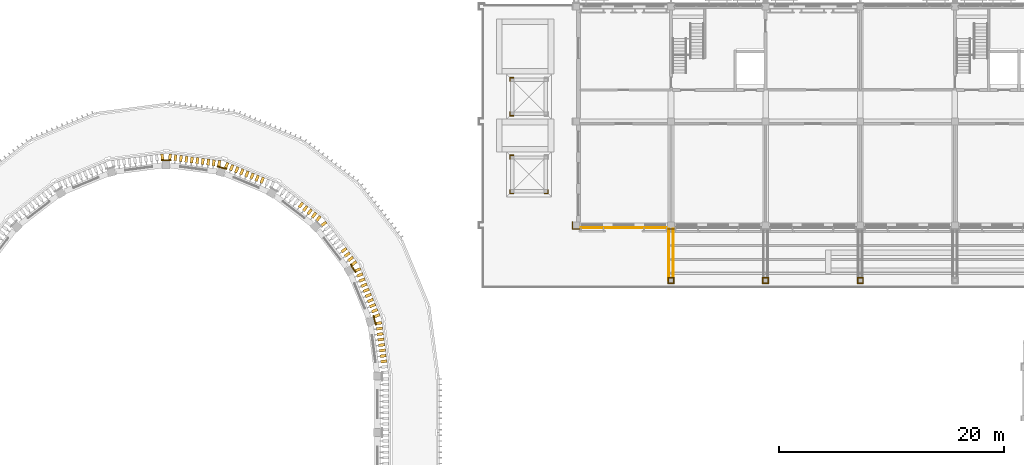
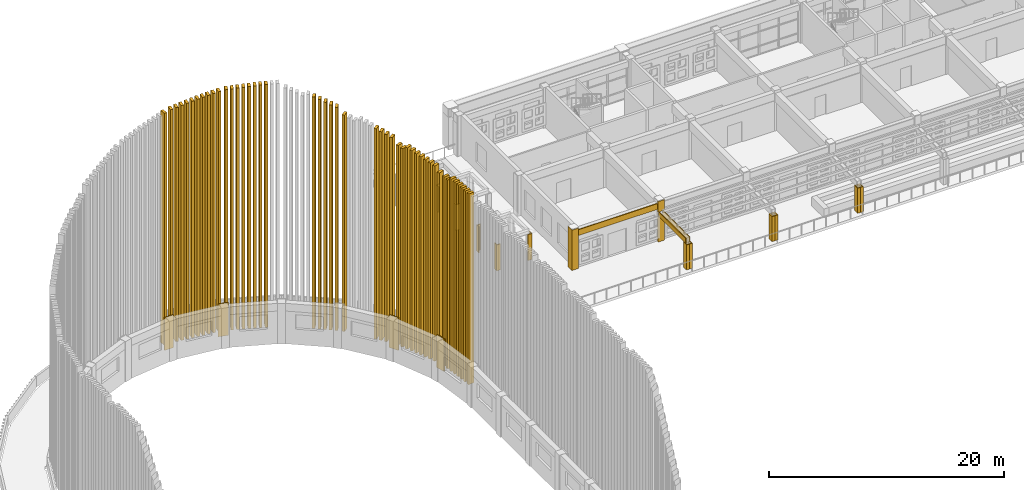
# One storey, part 59 of 68: 68 coverings.
"""IFC4 building model written with IfcOpenShell, lengths in metres."""

from ifc_helpers import new_model, si_unit, direction, frame, origin, origin_2d, place, context, subcontext, project, spatial, polyline, rectangle, outline, extrude, material, layer, layer_set, type_object, element, save


model = new_model("IFC4")

# Units and contexts
model_context = context("Model", 3, precision=1e-05, world=origin(), true_north=direction((0.0, 1.0)))
body_context = subcontext(model_context, "Body", "Model", "MODEL_VIEW")
ifc_project = project(units=[si_unit("LENGTHUNIT", "METRE"), si_unit("AREAUNIT", "SQUARE_METRE"), si_unit("VOLUMEUNIT", "CUBIC_METRE"), si_unit("PLANEANGLEUNIT", "RADIAN"), si_unit("MASSUNIT", "GRAM", prefix="KILO")], contexts=[model_context])

# Site, building, storey
site_placement = place(None, origin())
site = spatial("IfcSite", under=ifc_project, at=site_placement, CompositionType="ELEMENT")
building_placement = place(site_placement, origin())
building = spatial("IfcBuilding", under=site, at=building_placement, Name="Wasatch Bagh Community Centre", CompositionType="ELEMENT")
storey_placement = place(building_placement, frame((0.0, 0.0, 8.39990234375)))
storey = spatial("IfcBuildingStorey", under=building, at=storey_placement, Name="L02", CompositionType="ELEMENT", Elevation=8.39990234375)

# Coverings
ifc_material_1 = material(Name="Cast stone cladding", Category="masonry")
ifc_layer_1 = layer(ifc_material_1, 0.080078125)
ifc_layer_set_1 = layer_set([ifc_layer_1], Name="Cast stone cladding")
covering_type_1 = type_object("IfcCoveringType", Name="CL-B7 beam facing", PredefinedType="CLADDING", material=ifc_layer_set_1)
covering_1_placement = place(storey_placement, frame((0.0, 0.0, 3.320068359375)))
element("IfcCovering", 1, at=covering_1_placement, inside=storey, type_object=covering_type_1, Name="Beam facing", PredefinedType="CLADDING", context=body_context, shape_type="SweptSolid", body=[
    extrude(outline(polyline([(72.699951171875, 78.22509765625), (80.5, 78.22509765625), (80.5, 78.14501953125), (72.699951171875, 78.14501953125), (72.699951171875, 78.22509765625)])), origin(), (0.0, 0.0, 1.0), 0.60009765625),
])
covering_2_placement = place(storey_placement, frame((0.0, 0.0, 2.60009765625)))
element("IfcCovering", 2, at=covering_2_placement, inside=storey, type_object=covering_type_1, Name="Beam facing", PredefinedType="CLADDING", context=body_context, shape_type="SweptSolid", body=[
    extrude(outline(polyline([(80.949951171875, 78.10009765625), (80.949951171875, 73.5), (81.030029296875, 73.5), (81.030029296875, 78.10009765625), (80.949951171875, 78.10009765625)])), origin(), (0.0, 0.0, 1.0), 0.5),
])
covering_3_placement = place(storey_placement, frame((0.0, 0.0, 2.60009765625)))
element("IfcCovering", 3, at=covering_3_placement, inside=storey, type_object=covering_type_1, Name="Beam facing", PredefinedType="CLADDING", context=body_context, shape_type="SweptSolid", body=[
    extrude(outline(polyline([(80.64990234375, 78.10009765625), (80.64990234375, 73.5), (80.570068359375, 73.5), (80.570068359375, 78.10009765625), (80.64990234375, 78.10009765625)])), origin(), (0.0, 0.0, 1.0), 0.5),
])
ifc_layer_2 = layer(ifc_material_1, 0.080078125)
ifc_layer_set_2 = layer_set([ifc_layer_2], Name="Cast stone cladding")
covering_type_2 = type_object("IfcCoveringType", Name="CL-C1 column facing", PredefinedType="CLADDING", material=ifc_layer_set_2)
covering_4_placement = place(storey_placement, origin())
element("IfcCovering", 4, at=covering_4_placement, inside=storey, type_object=covering_type_2, Name="Column facing", PredefinedType="CLADDING", context=body_context, shape_type="SweptSolid", body=[
    extrude(outline(polyline([(72.02001953125, 78.02001953125), (72.02001953125, 78.699951171875), (72.10009765625, 78.699951171875), (72.10009765625, 78.10009765625), (72.699951171875, 78.10009765625), (72.699951171875, 78.02001953125), (72.02001953125, 78.02001953125)])), origin(), (0.0, 0.0, 1.0), 4.2001953125),
])
covering_5_placement = place(storey_placement, origin())
element("IfcCovering", 5, at=covering_5_placement, inside=storey, type_object=covering_type_2, Name="Column facing", PredefinedType="CLADDING", context=body_context, shape_type="SweptSolid", body=[
    extrude(outline(polyline([(80.5, 78.10009765625), (81.10009765625, 78.10009765625), (81.10009765625, 78.02001953125), (80.5, 78.02001953125), (80.5, 78.10009765625)])), origin(), (0.0, 0.0, 1.0), 2.60009765625),
])
covering_6_placement = place(storey_placement, frame((0.0, 0.0, 3.10009765625)))
element("IfcCovering", 6, at=covering_6_placement, inside=storey, type_object=covering_type_2, Name="Column facing", PredefinedType="CLADDING", context=body_context, shape_type="SweptSolid", body=[
    extrude(outline(polyline([(80.5, 78.10009765625), (81.10009765625, 78.10009765625), (81.10009765625, 78.02001953125), (80.5, 78.02001953125), (80.5, 78.10009765625)])), origin(), (0.0, 0.0, 1.0), 1.10009765625),
])
covering_7_placement = place(storey_placement, origin())
element("IfcCovering", 7, at=covering_7_placement, inside=storey, type_object=covering_type_2, Name="Column facing", PredefinedType="CLADDING", context=body_context, shape_type="SweptSolid", body=[
    extrude(outline(polyline([(69.85009765625, 81.25), (69.85009765625, 81.550048828125), (69.929931640625, 81.550048828125), (69.929931640625, 81.25), (69.929931640625, 81.169921875), (69.550048828125, 81.169921875), (69.550048828125, 81.25), (69.85009765625, 81.25)])), origin(), (0.0, 0.0, 1.0), 2.7001953125),
])
covering_8_placement = place(storey_placement, origin())
element("IfcCovering", 8, at=covering_8_placement, inside=storey, type_object=covering_type_2, Name="Column facing", PredefinedType="CLADDING", context=body_context, shape_type="SweptSolid", body=[
    extrude(outline(polyline([(66.550048828125, 84.25), (66.469970703125, 84.25), (66.469970703125, 84.6298828125), (66.85009765625, 84.6298828125), (66.85009765625, 84.550048828125), (66.550048828125, 84.550048828125), (66.550048828125, 84.25)])), origin(), (0.0, 0.0, 1.0), 2.7001953125),
])
covering_9_placement = place(storey_placement, origin())
element("IfcCovering", 9, at=covering_9_placement, inside=storey, type_object=covering_type_2, Name="Column facing", PredefinedType="CLADDING", context=body_context, shape_type="SweptSolid", body=[
    extrude(outline(polyline([(66.469970703125, 81.169921875), (66.469970703125, 81.550048828125), (66.550048828125, 81.550048828125), (66.550048828125, 81.25), (66.85009765625, 81.25), (66.85009765625, 81.169921875), (66.469970703125, 81.169921875)])), origin(), (0.0, 0.0, 1.0), 2.7001953125),
])
covering_10_placement = place(storey_placement, origin())
element("IfcCovering", 10, at=covering_10_placement, inside=storey, type_object=covering_type_2, Name="Column facing", PredefinedType="CLADDING", context=body_context, shape_type="SweptSolid", body=[
    extrude(outline(polyline([(66.550048828125, 91.14990234375), (66.469970703125, 91.14990234375), (66.469970703125, 91.530029296875), (66.85009765625, 91.530029296875), (66.85009765625, 91.449951171875), (66.550048828125, 91.449951171875), (66.550048828125, 91.14990234375)])), origin(), (0.0, 0.0, 1.0), 2.7001953125),
])
covering_11_placement = place(storey_placement, origin())
element("IfcCovering", 11, at=covering_11_placement, inside=storey, type_object=covering_type_2, Name="Column facing", PredefinedType="CLADDING", context=body_context, shape_type="SweptSolid", body=[
    extrude(outline(polyline([(66.469970703125, 88.070068359375), (66.469970703125, 88.449951171875), (66.550048828125, 88.449951171875), (66.550048828125, 88.14990234375), (66.85009765625, 88.14990234375), (66.85009765625, 88.070068359375), (66.469970703125, 88.070068359375)])), origin(), (0.0, 0.0, 1.0), 2.7001953125),
])
covering_12_placement = place(storey_placement, origin())
element("IfcCovering", 12, at=covering_12_placement, inside=storey, type_object=covering_type_2, Name="Column facing", PredefinedType="CLADDING", context=body_context, shape_type="SweptSolid", body=[
    extrude(outline(polyline([(80.800048828125, 73.780029296875), (80.800048828125, 73.699951171875), (80.60009765625, 73.699951171875), (80.60009765625, 73.300048828125), (80.800048828125, 73.300048828125), (80.800048828125, 73.219970703125), (80.60009765625, 73.219970703125), (80.52001953125, 73.219970703125), (80.52001953125, 73.780029296875), (80.800048828125, 73.780029296875)])), origin(), (0.0, 0.0, 1.0), 2.60009765625),
])
covering_13_placement = place(storey_placement, origin())
element("IfcCovering", 13, at=covering_13_placement, inside=storey, type_object=covering_type_2, Name="Column facing", PredefinedType="CLADDING", context=body_context, shape_type="SweptSolid", body=[
    extrude(outline(polyline([(81.080078125, 73.780029296875), (81.080078125, 73.219970703125), (81.0, 73.219970703125), (80.800048828125, 73.219970703125), (80.800048828125, 73.300048828125), (81.0, 73.300048828125), (81.0, 73.699951171875), (80.800048828125, 73.699951171875), (80.800048828125, 73.780029296875), (81.080078125, 73.780029296875)])), origin(), (0.0, 0.0, 1.0), 2.60009765625),
])
covering_14_placement = place(storey_placement, origin())
element("IfcCovering", 14, at=covering_14_placement, inside=storey, type_object=covering_type_2, Name="Column facing", PredefinedType="CLADDING", context=body_context, shape_type="SweptSolid", body=[
    extrude(outline(polyline([(89.199951171875, 73.780029296875), (89.199951171875, 73.699951171875), (89.0, 73.699951171875), (89.0, 73.300048828125), (89.199951171875, 73.300048828125), (89.199951171875, 73.219970703125), (89.0, 73.219970703125), (88.919921875, 73.219970703125), (88.919921875, 73.780029296875), (89.199951171875, 73.780029296875)])), origin(), (0.0, 0.0, 1.0), 2.60009765625),
])
covering_15_placement = place(storey_placement, origin())
element("IfcCovering", 15, at=covering_15_placement, inside=storey, type_object=covering_type_2, Name="Column facing", PredefinedType="CLADDING", context=body_context, shape_type="SweptSolid", body=[
    extrude(outline(polyline([(89.47998046875, 73.780029296875), (89.47998046875, 73.699951171875), (89.47998046875, 73.300048828125), (89.47998046875, 73.219970703125), (89.39990234375, 73.219970703125), (89.199951171875, 73.219970703125), (89.199951171875, 73.300048828125), (89.39990234375, 73.300048828125), (89.39990234375, 73.699951171875), (89.199951171875, 73.699951171875), (89.199951171875, 73.780029296875), (89.47998046875, 73.780029296875)])), origin(), (0.0, 0.0, 1.0), 2.60009765625),
])
covering_16_placement = place(storey_placement, origin())
element("IfcCovering", 16, at=covering_16_placement, inside=storey, type_object=covering_type_2, Name="Column facing", PredefinedType="CLADDING", context=body_context, shape_type="SweptSolid", body=[
    extrude(outline(polyline([(97.60009765625, 73.780029296875), (97.60009765625, 73.699951171875), (97.39990234375, 73.699951171875), (97.39990234375, 73.300048828125), (97.60009765625, 73.300048828125), (97.60009765625, 73.219970703125), (97.39990234375, 73.219970703125), (97.320068359375, 73.219970703125), (97.320068359375, 73.780029296875), (97.60009765625, 73.780029296875)])), origin(), (0.0, 0.0, 1.0), 2.60009765625),
])
covering_17_placement = place(storey_placement, origin())
element("IfcCovering", 17, at=covering_17_placement, inside=storey, type_object=covering_type_2, Name="Column facing", PredefinedType="CLADDING", context=body_context, shape_type="SweptSolid", body=[
    extrude(outline(polyline([(97.8798828125, 73.780029296875), (97.8798828125, 73.699951171875), (97.8798828125, 73.300048828125), (97.8798828125, 73.219970703125), (97.800048828125, 73.219970703125), (97.60009765625, 73.219970703125), (97.60009765625, 73.300048828125), (97.800048828125, 73.300048828125), (97.800048828125, 73.699951171875), (97.60009765625, 73.699951171875), (97.60009765625, 73.780029296875), (97.8798828125, 73.780029296875)])), origin(), (0.0, 0.0, 1.0), 2.60009765625),
])
ifc_material_2 = material(Name="White precast concrete C40/50", Category="concrete")
ifc_layer_3 = layer(ifc_material_2, 0.10009765625)
ifc_layer_set_3 = layer_set([ifc_layer_3], Name="White precast concrete C40/50")
covering_type_3 = type_object("IfcCoveringType", Name="MH column casing", PredefinedType="CLADDING", material=ifc_layer_set_3)
for number, where, z_axis, x_axis, name in (
    (18, (54.49755859375, 69.956298828125, 0.800048828125), (0.0, 0.0, 1.0), (-0.258819045103, 0.965925826289, 0.0), "Column casing N1 L02"),
    (19, (52.58447265625, 74.574951171875, 0.800048828125), (0.0, 0.0, 1.0), (-0.5, 0.866025403784, 0.0), "Column casing N2 L02"),
    (20, (40.956298828125, 83.49755859375, 0.800048828125), (0.0, 0.0, 1.0), (-0.965925826289, 0.258819045103, 0.0), "Column casing N5 L02"),
    (21, (36.0, 84.14990234375, 0.800048828125), (0.0, 0.0, 1.0), (-1.0, 0.0, 0.0), "Column casing N6 L02"),
):
    element("IfcCovering", number, at=place(storey_placement, frame(where, z_axis=z_axis, x_axis=x_axis)), inside=storey, type_object=covering_type_3, Name=name, PredefinedType="CLADDING", context=body_context, shape_type="SweptSolid", body=[
        extrude(rectangle(XDim=0.89990234375, YDim=0.10009765625, at=origin_2d()), origin(), (0.0, 0.0, 1.0), 3.39990234375),
    ])
ifc_layer_4 = layer(ifc_material_2, 0.25)
ifc_layer_set_4 = layer_set([ifc_layer_4], Name="White precast concrete C40/50")
covering_type_4 = type_object("IfcCoveringType", Name="MH vertical fin", PredefinedType="CLADDING", material=ifc_layer_set_4)
covering_18_placement = place(storey_placement, frame((55.30908203125, 66.307861328125, 1.30029296875), z_axis=(0.0, 0.0, 1.0), x_axis=(-0.13052619222, 0.991444861374, 0.0)))
element("IfcCovering", 22, at=covering_18_placement, inside=storey, type_object=covering_type_4, Name="Fin 19.3", PredefinedType="CLADDING", context=body_context, shape_type="SweptSolid", body=[
    extrude(rectangle(XDim=0.25, YDim=0.550048828125, at=origin_2d()), origin(), (0.0, 0.0, 1.0), 19.788818359375),
])
covering_19_placement = place(storey_placement, frame((55.2451171875, 66.793212890625, 1.300048828125), z_axis=(0.0, 0.0, 1.0), x_axis=(-0.13052619222, 0.991444861374, 0.0)))
element("IfcCovering", 23, at=covering_19_placement, inside=storey, type_object=covering_type_4, Name="Fin 19.4", PredefinedType="CLADDING", context=body_context, shape_type="SweptSolid", body=[
    extrude(rectangle(XDim=0.25, YDim=0.550048828125, at=origin_2d()), origin(), (0.0, 0.0, 1.0), 19.82568359375),
])
covering_20_placement = place(storey_placement, frame((55.181396484375, 67.2783203125, 1.30029296875), z_axis=(0.0, 0.0, 1.0), x_axis=(-0.13052619222, 0.991444861374, 0.0)))
element("IfcCovering", 24, at=covering_20_placement, inside=storey, type_object=covering_type_4, Name="Fin 19.5", PredefinedType="CLADDING", context=body_context, shape_type="SweptSolid", body=[
    extrude(rectangle(XDim=0.25, YDim=0.550048828125, at=origin_2d()), origin(), (0.0, 0.0, 1.0), 19.862548828125),
])
covering_21_placement = place(storey_placement, frame((55.117431640625, 67.763671875, 1.300048828125), z_axis=(0.0, 0.0, 1.0), x_axis=(-0.13052619222, 0.991444861374, 0.0)))
element("IfcCovering", 25, at=covering_21_placement, inside=storey, type_object=covering_type_4, Name="Fin 19.6", PredefinedType="CLADDING", context=body_context, shape_type="SweptSolid", body=[
    extrude(rectangle(XDim=0.25, YDim=0.550048828125, at=origin_2d()), origin(), (0.0, 0.0, 1.0), 19.8994140625),
])
covering_22_placement = place(storey_placement, frame((55.053466796875, 68.2490234375, 1.30029296875), z_axis=(0.0, 0.0, 1.0), x_axis=(-0.13052619222, 0.991444861374, 0.0)))
element("IfcCovering", 26, at=covering_22_placement, inside=storey, type_object=covering_type_4, Name="Fin 19.7", PredefinedType="CLADDING", context=body_context, shape_type="SweptSolid", body=[
    extrude(rectangle(XDim=0.25, YDim=0.550048828125, at=origin_2d()), origin(), (0.0, 0.0, 1.0), 19.936279296875),
])
covering_23_placement = place(storey_placement, frame((54.98974609375, 68.734375, 1.300048828125), z_axis=(0.0, 0.0, 1.0), x_axis=(-0.13052619222, 0.991444861374, 0.0)))
element("IfcCovering", 27, at=covering_23_placement, inside=storey, type_object=covering_type_4, Name="Fin 19.8", PredefinedType="CLADDING", context=body_context, shape_type="SweptSolid", body=[
    extrude(rectangle(XDim=0.25, YDim=0.550048828125, at=origin_2d()), origin(), (0.0, 0.0, 1.0), 19.97314453125),
])
covering_24_placement = place(storey_placement, frame((54.92578125, 69.219482421875, 1.300048828125), z_axis=(0.0, 0.0, 1.0), x_axis=(-0.13052619222, 0.991444861374, 0.0)))
element("IfcCovering", 28, at=covering_24_placement, inside=storey, type_object=covering_type_4, Name="Fin 19.9", PredefinedType="CLADDING", context=body_context, shape_type="SweptSolid", body=[
    extrude(rectangle(XDim=0.25, YDim=0.550048828125, at=origin_2d()), origin(), (0.0, 0.0, 1.0), 19.6044921875),
])
covering_25_placement = place(storey_placement, frame((54.86181640625, 69.704833984375, 1.30029296875), z_axis=(0.0, 0.0, 1.0), x_axis=(-0.13052619222, 0.991444861374, 0.0)))
element("IfcCovering", 29, at=covering_25_placement, inside=storey, type_object=covering_type_4, Name="Fin 19.10", PredefinedType="CLADDING", context=body_context, shape_type="SweptSolid", body=[
    extrude(rectangle(XDim=0.25, YDim=0.550048828125, at=origin_2d()), origin(), (0.0, 0.0, 1.0), 19.641357421875),
])
covering_26_placement = place(storey_placement, frame((54.687255859375, 70.3564453125, 1.300048828125), z_axis=(0.0, 0.0, 1.0), x_axis=(-0.382683432365, 0.923879532511, 0.0)))
element("IfcCovering", 30, at=covering_26_placement, inside=storey, type_object=covering_type_4, Name="Fin 20.1", PredefinedType="CLADDING", context=body_context, shape_type="SweptSolid", body=[
    extrude(rectangle(XDim=0.25, YDim=0.550048828125, at=origin_2d()), origin(), (0.0, 0.0, 1.0), 19.7421875),
])
covering_27_placement = place(storey_placement, frame((54.5, 70.80859375, 1.300048828125), z_axis=(0.0, 0.0, 1.0), x_axis=(-0.382683432365, 0.923879532511, 0.0)))
element("IfcCovering", 31, at=covering_27_placement, inside=storey, type_object=covering_type_4, Name="Fin 20.2", PredefinedType="CLADDING", context=body_context, shape_type="SweptSolid", body=[
    extrude(rectangle(XDim=0.25, YDim=0.550048828125, at=origin_2d()), origin(), (0.0, 0.0, 1.0), 20.255859375),
])
covering_28_placement = place(storey_placement, frame((54.312744140625, 71.2607421875, 1.30029296875), z_axis=(0.0, 0.0, 1.0), x_axis=(-0.382683432365, 0.923879532511, 0.0)))
element("IfcCovering", 32, at=covering_28_placement, inside=storey, type_object=covering_type_4, Name="Fin 20.3", PredefinedType="CLADDING", context=body_context, shape_type="SweptSolid", body=[
    extrude(rectangle(XDim=0.25, YDim=0.550048828125, at=origin_2d()), origin(), (0.0, 0.0, 1.0), 20.364013671875),
])
covering_29_placement = place(storey_placement, frame((54.125244140625, 71.713134765625, 1.300048828125), z_axis=(0.0, 0.0, 1.0), x_axis=(-0.382683432365, 0.923879532511, 0.0)))
element("IfcCovering", 33, at=covering_29_placement, inside=storey, type_object=covering_type_4, Name="Fin 20.4", PredefinedType="CLADDING", context=body_context, shape_type="SweptSolid", body=[
    extrude(rectangle(XDim=0.25, YDim=0.550048828125, at=origin_2d()), origin(), (0.0, 0.0, 1.0), 20.47216796875),
])
covering_30_placement = place(storey_placement, frame((53.93798828125, 72.165283203125, 1.30029296875), z_axis=(0.0, 0.0, 1.0), x_axis=(-0.382683432365, 0.923879532511, 0.0)))
element("IfcCovering", 34, at=covering_30_placement, inside=storey, type_object=covering_type_4, Name="Fin 20.5", PredefinedType="CLADDING", context=body_context, shape_type="SweptSolid", body=[
    extrude(rectangle(XDim=0.25, YDim=0.550048828125, at=origin_2d()), origin(), (0.0, 0.0, 1.0), 20.580322265625),
])
covering_31_placement = place(storey_placement, frame((53.750732421875, 72.617431640625, 1.300048828125), z_axis=(0.0, 0.0, 1.0), x_axis=(-0.382683432365, 0.923879532511, 0.0)))
element("IfcCovering", 35, at=covering_31_placement, inside=storey, type_object=covering_type_4, Name="Fin 20.6", PredefinedType="CLADDING", context=body_context, shape_type="SweptSolid", body=[
    extrude(rectangle(XDim=0.25, YDim=0.550048828125, at=origin_2d()), origin(), (0.0, 0.0, 1.0), 20.6884765625),
])
covering_32_placement = place(storey_placement, frame((53.5634765625, 73.069580078125, 1.30029296875), z_axis=(0.0, 0.0, 1.0), x_axis=(-0.382683432365, 0.923879532511, 0.0)))
element("IfcCovering", 36, at=covering_32_placement, inside=storey, type_object=covering_type_4, Name="Fin 20.7", PredefinedType="CLADDING", context=body_context, shape_type="SweptSolid", body=[
    extrude(rectangle(XDim=0.25, YDim=0.550048828125, at=origin_2d()), origin(), (0.0, 0.0, 1.0), 20.796630859375),
])
covering_33_placement = place(storey_placement, frame((53.3759765625, 73.52197265625, 1.300048828125), z_axis=(0.0, 0.0, 1.0), x_axis=(-0.382683432365, 0.923879532511, 0.0)))
element("IfcCovering", 37, at=covering_33_placement, inside=storey, type_object=covering_type_4, Name="Fin 20.8", PredefinedType="CLADDING", context=body_context, shape_type="SweptSolid", body=[
    extrude(rectangle(XDim=0.25, YDim=0.550048828125, at=origin_2d()), origin(), (0.0, 0.0, 1.0), 20.90478515625),
])
covering_34_placement = place(storey_placement, frame((53.188720703125, 73.97412109375, 1.300048828125), z_axis=(0.0, 0.0, 1.0), x_axis=(-0.382683432365, 0.923879532511, 0.0)))
element("IfcCovering", 38, at=covering_34_placement, inside=storey, type_object=covering_type_4, Name="Fin 20.9", PredefinedType="CLADDING", context=body_context, shape_type="SweptSolid", body=[
    extrude(rectangle(XDim=0.25, YDim=0.550048828125, at=origin_2d()), origin(), (0.0, 0.0, 1.0), 20.607421875),
])
covering_35_placement = place(storey_placement, frame((53.00146484375, 74.42626953125, 1.30029296875), z_axis=(0.0, 0.0, 1.0), x_axis=(-0.382683432365, 0.923879532511, 0.0)))
element("IfcCovering", 39, at=covering_35_placement, inside=storey, type_object=covering_type_4, Name="Fin 20.10", PredefinedType="CLADDING", context=body_context, shape_type="SweptSolid", body=[
    extrude(rectangle(XDim=0.25, YDim=0.550048828125, at=origin_2d()), origin(), (0.0, 0.0, 1.0), 20.715576171875),
])
covering_36_placement = place(storey_placement, frame((52.6640625, 75.010498046875, 1.300048828125), z_axis=(0.0, 0.0, 1.0), x_axis=(-0.608761429009, 0.793353340291, 0.0)))
element("IfcCovering", 40, at=covering_36_placement, inside=storey, type_object=covering_type_4, Name="Fin 21.1", PredefinedType="CLADDING", context=body_context, shape_type="SweptSolid", body=[
    extrude(rectangle(XDim=0.25, YDim=0.550048828125, at=origin_2d()), origin(), (0.0, 0.0, 1.0), 21.31591796875),
])
covering_37_placement = place(storey_placement, frame((52.3662109375, 75.39892578125, 1.300048828125), z_axis=(0.0, 0.0, 1.0), x_axis=(-0.608761429009, 0.793353340291, 0.0)))
element("IfcCovering", 41, at=covering_37_placement, inside=storey, type_object=covering_type_4, Name="Fin 21.2", PredefinedType="CLADDING", context=body_context, shape_type="SweptSolid", body=[
    extrude(rectangle(XDim=0.25, YDim=0.550048828125, at=origin_2d()), origin(), (0.0, 0.0, 1.0), 21.48779296875),
])
covering_38_placement = place(storey_placement, frame((52.068115234375, 75.787109375, 1.30029296875), z_axis=(0.0, 0.0, 1.0), x_axis=(-0.608761429009, 0.793353340291, 0.0)))
element("IfcCovering", 42, at=covering_38_placement, inside=storey, type_object=covering_type_4, Name="Fin 21.3", PredefinedType="CLADDING", context=body_context, shape_type="SweptSolid", body=[
    extrude(rectangle(XDim=0.25, YDim=0.550048828125, at=origin_2d()), origin(), (0.0, 0.0, 1.0), 21.659912109375),
])
covering_39_placement = place(storey_placement, frame((51.770263671875, 76.175537109375, 1.300048828125), z_axis=(0.0, 0.0, 1.0), x_axis=(-0.608761429009, 0.793353340291, 0.0)))
element("IfcCovering", 43, at=covering_39_placement, inside=storey, type_object=covering_type_4, Name="Fin 21.4", PredefinedType="CLADDING", context=body_context, shape_type="SweptSolid", body=[
    extrude(rectangle(XDim=0.25, YDim=0.550048828125, at=origin_2d()), origin(), (0.0, 0.0, 1.0), 21.83203125),
])
covering_40_placement = place(storey_placement, frame((49.982421875, 78.50537109375, 1.300048828125), z_axis=(0.0, 0.0, 1.0), x_axis=(-0.608761429009, 0.793353340291, 0.0)))
element("IfcCovering", 44, at=covering_40_placement, inside=storey, type_object=covering_type_4, Name="Fin 21.10", PredefinedType="CLADDING", context=body_context, shape_type="SweptSolid", body=[
    extrude(rectangle(XDim=0.25, YDim=0.550048828125, at=origin_2d()), origin(), (0.0, 0.0, 1.0), 22.45849609375),
])
covering_41_placement = place(storey_placement, frame((49.50537109375, 78.982421875, 1.300048828125), z_axis=(0.0, 0.0, 1.0), x_axis=(-0.793353340291, 0.608761429009, 0.0)))
element("IfcCovering", 45, at=covering_41_placement, inside=storey, type_object=covering_type_4, Name="Fin 22.1", PredefinedType="CLADDING", context=body_context, shape_type="SweptSolid", body=[
    extrude(rectangle(XDim=0.25, YDim=0.550048828125, at=origin_2d()), origin(), (0.0, 0.0, 1.0), 23.1396484375),
])
covering_42_placement = place(storey_placement, frame((49.1171875, 79.2802734375, 1.300048828125), z_axis=(0.0, 0.0, 1.0), x_axis=(-0.793353340291, 0.608761429009, 0.0)))
element("IfcCovering", 46, at=covering_42_placement, inside=storey, type_object=covering_type_4, Name="Fin 22.2", PredefinedType="CLADDING", context=body_context, shape_type="SweptSolid", body=[
    extrude(rectangle(XDim=0.25, YDim=0.550048828125, at=origin_2d()), origin(), (0.0, 0.0, 1.0), 23.36376953125),
])
covering_43_placement = place(storey_placement, frame((48.728759765625, 79.578369140625, 1.300048828125), z_axis=(0.0, 0.0, 1.0), x_axis=(-0.793353340291, 0.608761429009, 0.0)))
element("IfcCovering", 47, at=covering_43_placement, inside=storey, type_object=covering_type_4, Name="Fin 22.3", PredefinedType="CLADDING", context=body_context, shape_type="SweptSolid", body=[
    extrude(rectangle(XDim=0.25, YDim=0.550048828125, at=origin_2d()), origin(), (0.0, 0.0, 1.0), 23.587890625),
])
covering_44_placement = place(storey_placement, frame((48.340576171875, 79.876220703125, 1.300048828125), z_axis=(0.0, 0.0, 1.0), x_axis=(-0.793353340291, 0.608761429009, 0.0)))
element("IfcCovering", 48, at=covering_44_placement, inside=storey, type_object=covering_type_4, Name="Fin 22.4", PredefinedType="CLADDING", context=body_context, shape_type="SweptSolid", body=[
    extrude(rectangle(XDim=0.25, YDim=0.550048828125, at=origin_2d()), origin(), (0.0, 0.0, 1.0), 23.81201171875),
])
covering_45_placement = place(storey_placement, frame((47.9521484375, 80.17431640625, 1.30029296875), z_axis=(0.0, 0.0, 1.0), x_axis=(-0.793353340291, 0.608761429009, 0.0)))
element("IfcCovering", 49, at=covering_45_placement, inside=storey, type_object=covering_type_4, Name="Fin 22.5", PredefinedType="CLADDING", context=body_context, shape_type="SweptSolid", body=[
    extrude(rectangle(XDim=0.25, YDim=0.550048828125, at=origin_2d()), origin(), (0.0, 0.0, 1.0), 24.036376953125),
])
covering_46_placement = place(storey_placement, frame((44.52197265625, 82.3759765625, 1.30029296875), z_axis=(0.0, 0.0, 1.0), x_axis=(-0.923879532511, 0.382683432365, 0.0)))
element("IfcCovering", 50, at=covering_46_placement, inside=storey, type_object=covering_type_4, Name="Fin 23.3", PredefinedType="CLADDING", context=body_context, shape_type="SweptSolid", body=[
    extrude(rectangle(XDim=0.25, YDim=0.550048828125, at=origin_2d()), origin(), (0.0, 0.0, 1.0), 25.195068359375),
])
covering_47_placement = place(storey_placement, frame((44.069580078125, 82.5634765625, 1.30029296875), z_axis=(0.0, 0.0, 1.0), x_axis=(-0.923879532511, 0.382683432365, 0.0)))
element("IfcCovering", 51, at=covering_47_placement, inside=storey, type_object=covering_type_4, Name="Fin 23.4", PredefinedType="CLADDING", context=body_context, shape_type="SweptSolid", body=[
    extrude(rectangle(XDim=0.25, YDim=0.550048828125, at=origin_2d()), origin(), (0.0, 0.0, 1.0), 25.183349609375),
])
covering_48_placement = place(storey_placement, frame((43.617431640625, 82.750732421875, 1.30029296875), z_axis=(0.0, 0.0, 1.0), x_axis=(-0.923879532511, 0.382683432365, 0.0)))
element("IfcCovering", 52, at=covering_48_placement, inside=storey, type_object=covering_type_4, Name="Fin 23.5", PredefinedType="CLADDING", context=body_context, shape_type="SweptSolid", body=[
    extrude(rectangle(XDim=0.25, YDim=0.550048828125, at=origin_2d()), origin(), (0.0, 0.0, 1.0), 25.153564453125),
])
covering_49_placement = place(storey_placement, frame((43.165283203125, 82.93798828125, 1.300048828125), z_axis=(0.0, 0.0, 1.0), x_axis=(-0.923879532511, 0.382683432365, 0.0)))
element("IfcCovering", 53, at=covering_49_placement, inside=storey, type_object=covering_type_4, Name="Fin 23.6", PredefinedType="CLADDING", context=body_context, shape_type="SweptSolid", body=[
    extrude(rectangle(XDim=0.25, YDim=0.550048828125, at=origin_2d()), origin(), (0.0, 0.0, 1.0), 25.11865234375),
])
covering_50_placement = place(storey_placement, frame((42.713134765625, 83.125244140625, 1.300048828125), z_axis=(0.0, 0.0, 1.0), x_axis=(-0.923879532511, 0.382683432365, 0.0)))
element("IfcCovering", 54, at=covering_50_placement, inside=storey, type_object=covering_type_4, Name="Fin 23.7", PredefinedType="CLADDING", context=body_context, shape_type="SweptSolid", body=[
    extrude(rectangle(XDim=0.25, YDim=0.550048828125, at=origin_2d()), origin(), (0.0, 0.0, 1.0), 25.08349609375),
])
covering_51_placement = place(storey_placement, frame((42.2607421875, 83.312744140625, 1.300048828125), z_axis=(0.0, 0.0, 1.0), x_axis=(-0.923879532511, 0.382683432365, 0.0)))
element("IfcCovering", 55, at=covering_51_placement, inside=storey, type_object=covering_type_4, Name="Fin 23.8", PredefinedType="CLADDING", context=body_context, shape_type="SweptSolid", body=[
    extrude(rectangle(XDim=0.25, YDim=0.550048828125, at=origin_2d()), origin(), (0.0, 0.0, 1.0), 25.04833984375),
])
covering_52_placement = place(storey_placement, frame((41.80859375, 83.5, 1.300048828125), z_axis=(0.0, 0.0, 1.0), x_axis=(-0.923879532511, 0.382683432365, 0.0)))
element("IfcCovering", 56, at=covering_52_placement, inside=storey, type_object=covering_type_4, Name="Fin 23.9", PredefinedType="CLADDING", context=body_context, shape_type="SweptSolid", body=[
    extrude(rectangle(XDim=0.25, YDim=0.550048828125, at=origin_2d()), origin(), (0.0, 0.0, 1.0), 25.01318359375),
])
covering_53_placement = place(storey_placement, frame((41.3564453125, 83.687255859375, 1.300048828125), z_axis=(0.0, 0.0, 1.0), x_axis=(-0.923879532511, 0.382683432365, 0.0)))
element("IfcCovering", 57, at=covering_53_placement, inside=storey, type_object=covering_type_4, Name="Fin 23.10", PredefinedType="CLADDING", context=body_context, shape_type="SweptSolid", body=[
    extrude(rectangle(XDim=0.25, YDim=0.550048828125, at=origin_2d()), origin(), (0.0, 0.0, 1.0), 24.97802734375),
])
covering_54_placement = place(storey_placement, frame((40.704833984375, 83.86181640625, 1.300048828125), z_axis=(0.0, 0.0, 1.0), x_axis=(-0.991444861374, 0.13052619222, 0.0)))
element("IfcCovering", 58, at=covering_54_placement, inside=storey, type_object=covering_type_4, Name="Fin 24.1", PredefinedType="CLADDING", context=body_context, shape_type="SweptSolid", body=[
    extrude(rectangle(XDim=0.25, YDim=0.550048828125, at=origin_2d()), origin(), (0.0, 0.0, 1.0), 24.89697265625),
])
covering_55_placement = place(storey_placement, frame((40.219482421875, 83.92578125, 1.300048828125), z_axis=(0.0, 0.0, 1.0), x_axis=(-0.991444861374, 0.13052619222, 0.0)))
element("IfcCovering", 59, at=covering_55_placement, inside=storey, type_object=covering_type_4, Name="Fin 24.2", PredefinedType="CLADDING", context=body_context, shape_type="SweptSolid", body=[
    extrude(rectangle(XDim=0.25, YDim=0.550048828125, at=origin_2d()), origin(), (0.0, 0.0, 1.0), 24.833984375),
])
covering_56_placement = place(storey_placement, frame((39.734375, 83.98974609375, 1.300048828125), z_axis=(0.0, 0.0, 1.0), x_axis=(-0.991444861374, 0.13052619222, 0.0)))
element("IfcCovering", 60, at=covering_56_placement, inside=storey, type_object=covering_type_4, Name="Fin 24.3", PredefinedType="CLADDING", context=body_context, shape_type="SweptSolid", body=[
    extrude(rectangle(XDim=0.25, YDim=0.550048828125, at=origin_2d()), origin(), (0.0, 0.0, 1.0), 24.77099609375),
])
covering_57_placement = place(storey_placement, frame((39.2490234375, 84.053466796875, 1.300048828125), z_axis=(0.0, 0.0, 1.0), x_axis=(-0.991444861374, 0.13052619222, 0.0)))
element("IfcCovering", 61, at=covering_57_placement, inside=storey, type_object=covering_type_4, Name="Fin 24.4", PredefinedType="CLADDING", context=body_context, shape_type="SweptSolid", body=[
    extrude(rectangle(XDim=0.25, YDim=0.550048828125, at=origin_2d()), origin(), (0.0, 0.0, 1.0), 24.7080078125),
])
covering_58_placement = place(storey_placement, frame((38.763671875, 84.117431640625, 1.300048828125), z_axis=(0.0, 0.0, 1.0), x_axis=(-0.991444861374, 0.13052619222, 0.0)))
element("IfcCovering", 62, at=covering_58_placement, inside=storey, type_object=covering_type_4, Name="Fin 24.5", PredefinedType="CLADDING", context=body_context, shape_type="SweptSolid", body=[
    extrude(rectangle(XDim=0.25, YDim=0.550048828125, at=origin_2d()), origin(), (0.0, 0.0, 1.0), 24.64501953125),
])
covering_59_placement = place(storey_placement, frame((38.2783203125, 84.181396484375, 1.30029296875), z_axis=(0.0, 0.0, 1.0), x_axis=(-0.991444861374, 0.13052619222, 0.0)))
element("IfcCovering", 63, at=covering_59_placement, inside=storey, type_object=covering_type_4, Name="Fin 24.6", PredefinedType="CLADDING", context=body_context, shape_type="SweptSolid", body=[
    extrude(rectangle(XDim=0.25, YDim=0.550048828125, at=origin_2d()), origin(), (0.0, 0.0, 1.0), 24.563720703125),
])
covering_60_placement = place(storey_placement, frame((37.793212890625, 84.2451171875, 1.300048828125), z_axis=(0.0, 0.0, 1.0), x_axis=(-0.991444861374, 0.13052619222, 0.0)))
element("IfcCovering", 64, at=covering_60_placement, inside=storey, type_object=covering_type_4, Name="Fin 24.7", PredefinedType="CLADDING", context=body_context, shape_type="SweptSolid", body=[
    extrude(rectangle(XDim=0.25, YDim=0.550048828125, at=origin_2d()), origin(), (0.0, 0.0, 1.0), 24.47509765625),
])
covering_61_placement = place(storey_placement, frame((37.307861328125, 84.30908203125, 1.300048828125), z_axis=(0.0, 0.0, 1.0), x_axis=(-0.991444861374, 0.13052619222, 0.0)))
element("IfcCovering", 65, at=covering_61_placement, inside=storey, type_object=covering_type_4, Name="Fin 24.8", PredefinedType="CLADDING", context=body_context, shape_type="SweptSolid", body=[
    extrude(rectangle(XDim=0.25, YDim=0.550048828125, at=origin_2d()), origin(), (0.0, 0.0, 1.0), 24.38623046875),
])
covering_62_placement = place(storey_placement, frame((36.822509765625, 84.373046875, 1.30029296875), z_axis=(0.0, 0.0, 1.0), x_axis=(-0.991444861374, 0.13052619222, 0.0)))
element("IfcCovering", 66, at=covering_62_placement, inside=storey, type_object=covering_type_4, Name="Fin 24.9", PredefinedType="CLADDING", context=body_context, shape_type="SweptSolid", body=[
    extrude(rectangle(XDim=0.25, YDim=0.550048828125, at=origin_2d()), origin(), (0.0, 0.0, 1.0), 24.297607421875),
])
covering_63_placement = place(storey_placement, frame((36.337158203125, 84.436767578125, 1.300048828125), z_axis=(0.0, 0.0, 1.0), x_axis=(-0.991444861374, 0.13052619222, 0.0)))
element("IfcCovering", 67, at=covering_63_placement, inside=storey, type_object=covering_type_4, Name="Fin 24.10", PredefinedType="CLADDING", context=body_context, shape_type="SweptSolid", body=[
    extrude(rectangle(XDim=0.25, YDim=0.550048828125, at=origin_2d()), origin(), (0.0, 0.0, 1.0), 24.208984375),
])
covering_64_placement = place(storey_placement, frame((35.662841796875, 84.436767578125, 1.300048828125), z_axis=(0.0, 0.0, 1.0), x_axis=(-0.991444861374, -0.13052619222, 0.0)))
element("IfcCovering", 68, at=covering_64_placement, inside=storey, type_object=covering_type_4, Name="Fin 25.1", PredefinedType="CLADDING", context=body_context, shape_type="SweptSolid", body=[
    extrude(rectangle(XDim=0.25, YDim=0.550048828125, at=origin_2d()), origin(), (0.0, 0.0, 1.0), 24.068359375),
])

save(model, "model.ifc")
